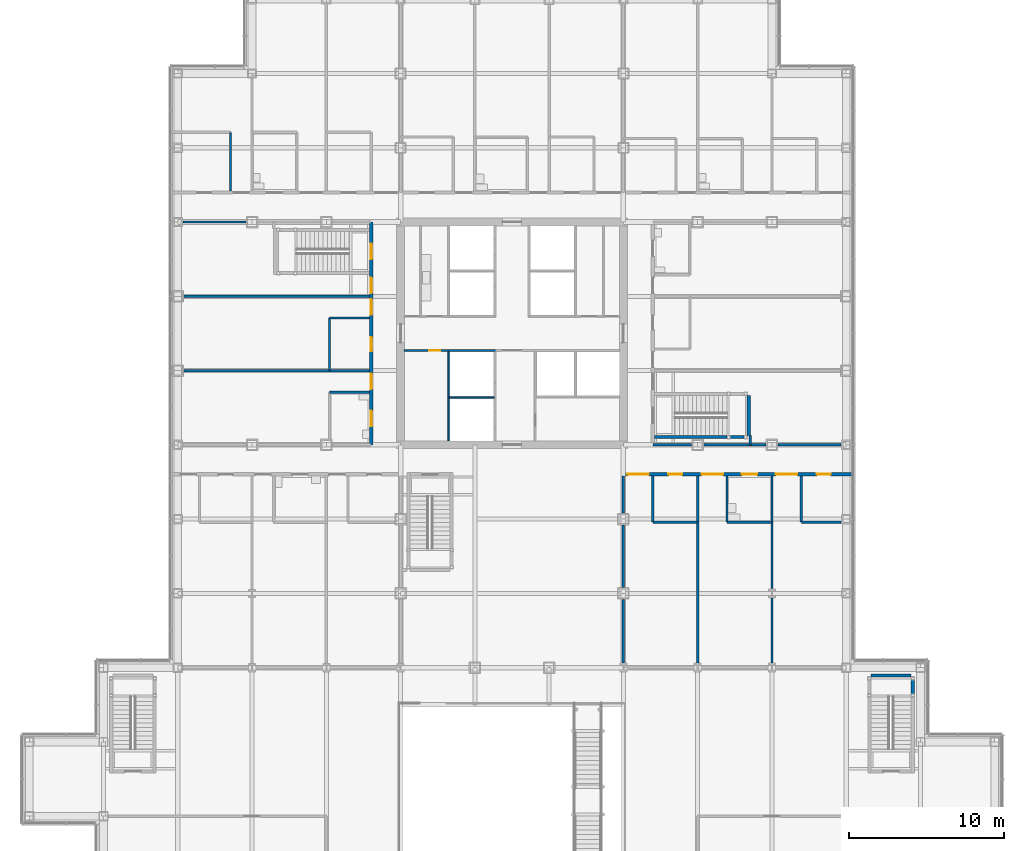
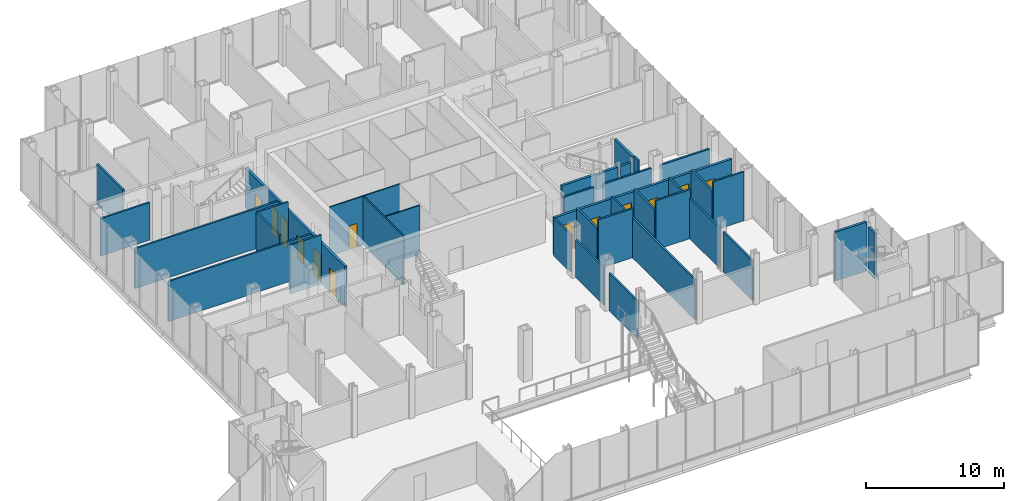
# One storey, part 20 of 28: 33 walls, 13 doors, 13 openings.
"""IFC4 building model written with IfcOpenShell, lengths in metres."""

import ifcopenshell
import ifcopenshell.guid

model = None  # the IFC model being written
_history = None  # IfcOwnerHistory: only IFC2X3 demands one
_inside = {}  # id of a spatial element -> (the spatial element, [elements in it])
_under = {}  # id of a project, library or spatial element -> (it, [spatial elements below it])
_declared = {}  # id of a project -> (the project, [libraries it declares])
_typed = {}  # id of a type object -> (the type object, [elements of that type])
_made_of = {}  # id of a material, layer set ... -> (it, [elements and type objects made of it])


def new_model(schema):
    """Start an empty IFC model of exactly this schema.

    Asked for "IFC4X3", IfcOpenShell would pick the latest addendum, in which some entities
    have other attributes; the version numbers below select the first issue.
    IFC2X3 requires an IfcOwnerHistory on every rooted entity: one is made here for all.
    """
    global model, _history
    if schema == "IFC4X3":
        model = ifcopenshell.file(schema_version=(4, 3, 0, 0))
    else:
        model = ifcopenshell.file(schema=schema)
    _inside.clear()
    _under.clear()
    _declared.clear()
    _typed.clear()
    _made_of.clear()
    _history = None
    if model.schema == "IFC2X3":
        org = make("IfcOrganization", Name="unknown")
        user = make(
            "IfcPersonAndOrganization",
            ThePerson=make("IfcPerson", FamilyName="unknown"),
            TheOrganization=org,
        )
        app = make(
            "IfcApplication",
            ApplicationDeveloper=org,
            Version="unknown",
            ApplicationFullName="unknown",
            ApplicationIdentifier="unknown",
        )
        _history = make(
            "IfcOwnerHistory",
            OwningUser=user,
            OwningApplication=app,
            ChangeAction="ADDED",
            CreationDate=0,
        )
    return model


def make(cls, **values):
    """One entity of the class cls with the attributes given. An attribute that is None is left unset."""
    return model.create_entity(
        cls, **{name: value for name, value in values.items() if value is not None}
    )


def rooted(cls, **values):
    """An entity with a GlobalId (a new one), such as an element, a storey or a relation."""
    return make(cls, GlobalId=ifcopenshell.guid.new(), OwnerHistory=_history, **values)


def si_unit(unit_type, name, prefix=None):
    """IfcSIUnit, for example si_unit("LENGTHUNIT", "METRE", prefix="MILLI")."""
    return make("IfcSIUnit", UnitType=unit_type, Prefix=prefix, Name=name)


def assignment(units):
    """IfcUnitAssignment: the units of a project."""
    return None if units is None else make("IfcUnitAssignment", Units=units)


def point(xyz):
    """IfcCartesianPoint."""
    return None if xyz is None else make("IfcCartesianPoint", Coordinates=xyz)


def direction(xyz):
    """IfcDirection."""
    return None if xyz is None else make("IfcDirection", DirectionRatios=xyz)


def frame(location, z_axis=None, x_axis=None):
    """IfcAxis2Placement3D, a coordinate frame: its origin and axes. An axis left out is left unset."""
    return make(
        "IfcAxis2Placement3D",
        Location=point(location),
        Axis=direction(z_axis),
        RefDirection=direction(x_axis),
    )


def frame_2d(location, x_axis=None):
    """IfcAxis2Placement2D, a coordinate frame in the plane: its origin and x axis."""
    return make(
        "IfcAxis2Placement2D", Location=point(location), RefDirection=direction(x_axis)
    )


def origin():
    """The frame at (0, 0, 0) with its axes left unset."""
    return frame((0.0, 0.0, 0.0))


def place(relative_to, where):
    """IfcLocalPlacement: puts the frame where relative to a parent placement (None: the world)."""
    return make(
        "IfcLocalPlacement", PlacementRelTo=relative_to, RelativePlacement=where
    )


def context(
    kind, dimensions, precision=None, world=None, true_north=None, identifier=None
):
    """IfcGeometricRepresentationContext, for example the 3D "Model" context."""
    return make(
        "IfcGeometricRepresentationContext",
        ContextIdentifier=identifier,
        ContextType=kind,
        CoordinateSpaceDimension=dimensions,
        Precision=precision,
        WorldCoordinateSystem=world,
        TrueNorth=true_north,
    )


def subcontext(parent, identifier, kind, view, scale=None):
    """IfcGeometricRepresentationSubContext, for example "Body" below "Model"."""
    return make(
        "IfcGeometricRepresentationSubContext",
        ContextIdentifier=identifier,
        ContextType=kind,
        ParentContext=parent,
        TargetScale=scale,
        TargetView=view,
    )


def project(units=None, contexts=None):
    """IfcProject with its units and contexts."""
    return rooted(
        "IfcProject",
        Name="project",
        RepresentationContexts=contexts,
        UnitsInContext=assignment(units),
    )


def spatial(cls, under=None, at=None, **own):
    """A site, building, storey or space (cls), placed at a placement, below another one or the project."""
    s = rooted(cls, ObjectPlacement=at, **own)
    if under is not None:
        _under.setdefault(under.id(), (under, []))[1].append(s)
    return s


def profile(cls, at=None, kind="AREA", **sizes):
    """A parametric profile (cls). Its sizes go by their IFC names, for example OverallWidth=200.0."""
    return make(cls, ProfileType=kind, Position=at, **sizes)


def rectangle(**sizes):
    """IfcRectangleProfileDef."""
    return profile("IfcRectangleProfileDef", **sizes)


def extrude(swept, where, along, depth):
    """IfcExtrudedAreaSolid: the profile swept, set in the frame where, extruded along a direction by depth."""
    return make(
        "IfcExtrudedAreaSolid",
        SweptArea=swept,
        Position=where,
        ExtrudedDirection=direction(along),
        Depth=depth,
    )


def shape(context_of_items, identifier, shape_type, items):
    """IfcShapeRepresentation: the items that make up one representation, for example the "Body"."""
    return make(
        "IfcShapeRepresentation",
        ContextOfItems=context_of_items,
        RepresentationIdentifier=identifier,
        RepresentationType=shape_type,
        Items=items,
    )


def material(Name=None, Category=None):
    """IfcMaterial."""
    return make("IfcMaterial", Name=Name, Category=Category)


def layer(
    of_material, thickness, ventilated=None, Name=None, Category=None, Priority=None
):
    """IfcMaterialLayer: one layer of a wall or slab, of a material (None: an air gap)."""
    return make(
        "IfcMaterialLayer",
        Material=of_material,
        LayerThickness=thickness,
        IsVentilated=ventilated,
        Name=Name,
        Category=Category,
        Priority=Priority,
    )


def layer_set(layers, Name=None):
    """IfcMaterialLayerSet."""
    return make("IfcMaterialLayerSet", MaterialLayers=layers, LayerSetName=Name)


def made_of(thing, what):
    """Note that an element or type object is made of a material, layer set ...; save() writes the relation."""
    if what is not None:
        _made_of.setdefault(what.id(), (what, []))[1].append(thing)
    return thing


def type_object(cls, material=None, **own):
    """A type object (cls), such as IfcWallType, which elements share."""
    return made_of(rooted(cls, **own), material)


def element(
    cls,
    number,
    at=None,
    inside=None,
    cuts=None,
    type_object=None,
    material=None,
    context=None,
    identifier="Body",
    shape_type=None,
    held_by="IfcProductDefinitionShape",
    body=None,
    shapes=None,
    **own,
):
    """One element of the class cls, such as IfcWall. Its Tag is "e" and its number.

    at: its placement. inside: the storey or other place that contains it. cuts: it is an
    opening in that element (IfcRelVoidsElement). A single representation is given by context,
    identifier, shape_type and body (its items); several are given by shapes. held_by: the class
    of the entity that holds the representations. save() writes the other relations.
    """
    e = rooted(cls, Tag="e%d" % number, ObjectPlacement=at, **own)
    if body is not None:
        shapes = [shape(context, identifier, shape_type, body)]
    if shapes is not None:
        e.Representation = make(held_by, Representations=shapes)
    if inside is not None:
        _inside.setdefault(inside.id(), (inside, []))[1].append(e)
    if cuts is not None:
        rooted(
            "IfcRelVoidsElement", RelatingBuildingElement=cuts, RelatedOpeningElement=e
        )
    if type_object is not None:
        _typed.setdefault(type_object.id(), (type_object, []))[1].append(e)
    return made_of(e, material)


def fill(opening, filler):
    """IfcRelFillsElement: the door or window that sits in an opening."""
    return rooted(
        "IfcRelFillsElement",
        RelatingOpeningElement=opening,
        RelatedBuildingElement=filler,
    )


def aggregate(whole, parts):
    """IfcRelAggregates: a whole, such as a stair, and the parts it consists of."""
    return rooted("IfcRelAggregates", RelatingObject=whole, RelatedObjects=parts)


def save(model, path):
    """Write the relations noted so far, then the file.

    IfcRelAggregates (storeys below a building ...), IfcRelContainedInSpatialStructure (elements
    in a storey), IfcRelDefinesByType, IfcRelAssociatesMaterial and IfcRelDeclares: one each for
    every whole, place, type object, material and project.
    """
    for whole, parts in _under.values():
        aggregate(whole, parts)
    for where, things in _inside.values():
        rooted(
            "IfcRelContainedInSpatialStructure",
            RelatedElements=things,
            RelatingStructure=where,
        )
    for kind, things in _typed.values():
        rooted("IfcRelDefinesByType", RelatedObjects=things, RelatingType=kind)
    for what, things in _made_of.values():
        rooted("IfcRelAssociatesMaterial", RelatedObjects=things, RelatingMaterial=what)
    for by, libraries in _declared.values():
        rooted("IfcRelDeclares", RelatingContext=by, RelatedDefinitions=libraries)
    model.write(path)


model = new_model("IFC4")

# Units and contexts
model_context = context("Model", 3, precision=1e-05, world=origin(), true_north=direction((0.0, 1.0)))
body_context = subcontext(model_context, "Body", "Model", "MODEL_VIEW")
ifc_project = project(units=[si_unit("LENGTHUNIT", "METRE"), si_unit("AREAUNIT", "SQUARE_METRE"), si_unit("VOLUMEUNIT", "CUBIC_METRE"), si_unit("PLANEANGLEUNIT", "RADIAN"), si_unit("MASSUNIT", "GRAM", prefix="KILO")], contexts=[model_context])

# Site, building, storey
site_placement = place(None, origin())
site = spatial("IfcSite", under=ifc_project, at=site_placement, CompositionType="ELEMENT")
building_placement = place(site_placement, origin())
building = spatial("IfcBuilding", under=site, at=building_placement, Name="Kvirike Care Tower", CompositionType="ELEMENT")
storey_placement = place(building_placement, frame((0.0, 0.0, 4.5)))
storey = spatial("IfcBuildingStorey", under=building, at=storey_placement, Name="L01", CompositionType="ELEMENT", Elevation=4.5)

# Walls
ifc_material_1 = material(Name="Plasterboard partition", Category="gypsum")
ifc_layer_1 = layer(ifc_material_1, 0.14990234375)
ifc_layer_set_1 = layer_set([ifc_layer_1], Name="CLINIC PARTITION 150")
wall_type_1 = type_object("IfcWallType", Name="CLINIC PARTITION 150", PredefinedType="PARTITIONING", material=ifc_layer_set_1)
wall_1_placement = place(storey_placement, frame((9.800048828125, 37.0, 0.0), z_axis=(0.0, 0.0, 1.0), x_axis=(1.0, 0.0, 0.0)))
element("IfcWall", 1, at=wall_1_placement, inside=storey, type_object=wall_type_1, Name="Clinic Partition 150 L01", PredefinedType="PARTITIONING", context=body_context, shape_type="SweptSolid", body=[
    extrude(rectangle(XDim=2.599853515625, YDim=0.14990234375, at=frame_2d((1.2998046875, 0.0))), origin(), (0.0, 0.0, 1.0), 4.330078125),
])
wall_2_placement = place(storey_placement, frame((9.800048828125, 37.0, 0.0), z_axis=(0.0, 0.0, 1.0), x_axis=(0.0, -1.0, 0.0)))
element("IfcWall", 2, at=wall_2_placement, inside=storey, type_object=wall_type_1, Name="Clinic Partition 150 L01", PredefinedType="PARTITIONING", context=body_context, shape_type="SweptSolid", body=[
    extrude(rectangle(XDim=3.39990234375, YDim=0.14990234375, at=frame_2d((1.699951171875, 0.0))), origin(), (0.0, 0.0, 1.0), 4.330078125),
])
wall_3_placement = place(storey_placement, frame((9.800048828125, 32.199951171875, 0.0), z_axis=(0.0, 0.0, 1.0), x_axis=(1.0, 0.0, 0.0)))
element("IfcWall", 3, at=wall_3_placement, inside=storey, type_object=wall_type_1, Name="Clinic Partition 150 L01", PredefinedType="PARTITIONING", context=body_context, shape_type="SweptSolid", body=[
    extrude(rectangle(XDim=2.599853515625, YDim=0.14990234375, at=frame_2d((1.2998046875, 0.0))), origin(), (0.0, 0.0, 1.0), 4.330078125),
])
for number, where, z_axis, x_axis, name in (
    (4, (0.39501953125, 38.39990234375, 0.0), (0.0, 0.0, 1.0), (1.0, 0.0, 0.0), "Clinic Partition 150 L01"),
    (5, (0.39501953125, 33.60009765625, 0.0), (0.0, 0.0, 1.0), (1.0, 0.0, 0.0), "Clinic Partition 150 L01"),
):
    element("IfcWall", number, at=place(storey_placement, frame(where, z_axis=z_axis, x_axis=x_axis)), inside=storey, type_object=wall_type_1, Name=name, PredefinedType="PARTITIONING", context=body_context, shape_type="SweptSolid", body=[
        extrude(rectangle(XDim=12.0048828125, YDim=0.14990234375, at=frame_2d((6.00244140625, 0.0))), origin(), (0.0, 0.0, 1.0), 3.550048828125),
    ])
wall_4_placement = place(storey_placement, frame((3.39990234375, 49.0, 0.0), z_axis=(0.0, 0.0, 1.0), x_axis=(0.0, -1.0, 0.0)))
element("IfcWall", 6, at=wall_4_placement, inside=storey, type_object=wall_type_1, Name="Clinic Partition 150 L01", PredefinedType="PARTITIONING", context=body_context, shape_type="SweptSolid", body=[
    extrude(rectangle(XDim=3.800048828125, YDim=0.14990234375, at=frame_2d((1.89990234375, 0.0))), origin(), (0.0, 0.0, 1.0), 3.550048828125),
])
wall_5_placement = place(storey_placement, frame((30.699951171875, 23.800048828125, 0.0), z_axis=(0.0, 0.0, 1.0), x_axis=(0.0, 1.0, 0.0)))
element("IfcWall", 7, at=wall_5_placement, inside=storey, type_object=wall_type_1, Name="Clinic Partition 150 L01", PredefinedType="PARTITIONING", context=body_context, shape_type="SweptSolid", body=[
    extrude(rectangle(XDim=3.0, YDim=0.14990234375, at=frame_2d((1.5, 0.0))), origin(), (0.0, 0.0, 1.0), 3.550048828125),
])
wall_6_placement = place(storey_placement, frame((30.699951171875, 23.800048828125, 0.0), z_axis=(0.0, 0.0, 1.0), x_axis=(1.0, 0.0, 0.0)))
element("IfcWall", 8, at=wall_6_placement, inside=storey, type_object=wall_type_1, Name="Clinic Partition 150 L01", PredefinedType="PARTITIONING", context=body_context, shape_type="SweptSolid", body=[
    extrude(rectangle(XDim=2.900146484375, YDim=0.14990234375, at=frame_2d((1.4501953125, 0.0))), origin(), (0.0, 0.0, 1.0), 4.330078125),
])
wall_7_placement = place(storey_placement, frame((35.5, 23.800048828125, 0.0), z_axis=(0.0, 0.0, 1.0), x_axis=(0.0, 1.0, 0.0)))
element("IfcWall", 9, at=wall_7_placement, inside=storey, type_object=wall_type_1, Name="Clinic Partition 150 L01", PredefinedType="PARTITIONING", context=body_context, shape_type="SweptSolid", body=[
    extrude(rectangle(XDim=3.0, YDim=0.14990234375, at=frame_2d((1.5, 0.0))), origin(), (0.0, 0.0, 1.0), 3.550048828125),
])
wall_8_placement = place(storey_placement, frame((35.5, 23.800048828125, 0.0), z_axis=(0.0, 0.0, 1.0), x_axis=(1.0, 0.0, 0.0)))
element("IfcWall", 10, at=wall_8_placement, inside=storey, type_object=wall_type_1, Name="Clinic Partition 150 L01", PredefinedType="PARTITIONING", context=body_context, shape_type="SweptSolid", body=[
    extrude(rectangle(XDim=2.89990234375, YDim=0.14990234375, at=frame_2d((1.449951171875, 0.0))), origin(), (0.0, 0.0, 1.0), 4.330078125),
])
wall_9_placement = place(storey_placement, frame((40.300048828125, 23.800048828125, 0.0), z_axis=(0.0, 0.0, 1.0), x_axis=(0.0, 1.0, 0.0)))
element("IfcWall", 11, at=wall_9_placement, inside=storey, type_object=wall_type_1, Name="Clinic Partition 150 L01", PredefinedType="PARTITIONING", context=body_context, shape_type="SweptSolid", body=[
    extrude(rectangle(XDim=3.0, YDim=0.14990234375, at=frame_2d((1.5, 0.0))), origin(), (0.0, 0.0, 1.0), 3.550048828125),
])
wall_10_placement = place(storey_placement, frame((40.300048828125, 23.800048828125, 0.0), z_axis=(0.0, 0.0, 1.0), x_axis=(1.0, 0.0, 0.0)))
element("IfcWall", 12, at=wall_10_placement, inside=storey, type_object=wall_type_1, Name="Clinic Partition 150 L01", PredefinedType="PARTITIONING", context=body_context, shape_type="SweptSolid", body=[
    extrude(rectangle(XDim=2.579833984375, YDim=0.14990234375, at=frame_2d((1.2900390625, 0.0))), origin(), (0.0, 0.0, 1.0), 4.330078125),
])
wall_11_placement = place(storey_placement, frame((33.60009765625, 14.70458984375, 0.0), z_axis=(0.0, 0.0, 1.0), x_axis=(0.0, 1.0, 0.0)))
element("IfcWall", 13, at=wall_11_placement, inside=storey, type_object=wall_type_1, Name="Clinic Partition 150 L01", PredefinedType="PARTITIONING", context=body_context, shape_type="SweptSolid", body=[
    extrude(rectangle(XDim=12.095458984375, YDim=0.14990234375, at=frame_2d((6.0478515625, 0.0))), origin(), (0.0, 0.0, 1.0), 3.550048828125),
])
wall_12_placement = place(storey_placement, frame((38.39990234375, 14.70458984375, 0.0), z_axis=(0.0, 0.0, 1.0), x_axis=(0.0, 1.0, 0.0)))
element("IfcWall", 14, at=wall_12_placement, inside=storey, type_object=wall_type_1, Name="Clinic Partition 150 L01", PredefinedType="PARTITIONING", context=body_context, shape_type="SweptSolid", body=[
    extrude(rectangle(XDim=4.19091796875, YDim=0.14990234375, at=frame_2d((2.095458984375, 0.0))), origin(), (0.0, 0.0, 1.0), 3.550048828125),
])
wall_13_placement = place(storey_placement, frame((38.39990234375, 19.50439453125, 0.0), z_axis=(0.0, 0.0, 1.0), x_axis=(0.0, 1.0, 0.0)))
element("IfcWall", 15, at=wall_13_placement, inside=storey, type_object=wall_type_1, Name="Clinic Partition 150 L01", PredefinedType="PARTITIONING", context=body_context, shape_type="SweptSolid", body=[
    extrude(rectangle(XDim=7.295654296875, YDim=0.14990234375, at=frame_2d((3.64794921875, 0.0))), origin(), (0.0, 0.0, 1.0), 3.550048828125),
])
wall_14_placement = place(storey_placement, frame((37.0, 28.800048828125, 0.0), z_axis=(0.0, 0.0, 1.0), x_axis=(0.0, 1.0, 0.0)))
element("IfcWall", 16, at=wall_14_placement, inside=storey, type_object=wall_type_1, Name="Clinic Partition 150 L01", PredefinedType="PARTITIONING", context=body_context, shape_type="SweptSolid", body=[
    extrude(rectangle(XDim=0.599853515625, YDim=0.14990234375, at=frame_2d((0.2998046875, 0.0))), origin(), (0.0, 0.0, 1.0), 4.330078125),
])
wall_15_placement = place(storey_placement, frame((4.405029296875, 43.199951171875, 0.0), z_axis=(0.0, 0.0, 1.0), x_axis=(-1.0, 0.0, 0.0)))
element("IfcWall", 17, at=wall_15_placement, inside=storey, type_object=wall_type_1, Name="Clinic Partition 150 L01", PredefinedType="PARTITIONING", context=body_context, shape_type="SweptSolid", body=[
    extrude(rectangle(XDim=4.0849609375, YDim=0.14990234375, at=frame_2d((2.04248046875, 0.0))), origin(), (0.0, 0.0, 1.0), 3.320068359375),
])
wall_16_placement = place(storey_placement, frame((28.800048828125, 14.70458984375, 0.0), z_axis=(0.0, 0.0, 1.0), x_axis=(0.0, 1.0, 0.0)))
element("IfcWall", 18, at=wall_16_placement, inside=storey, type_object=wall_type_1, Name="Clinic Partition 150 L01", PredefinedType="PARTITIONING", context=body_context, shape_type="SweptSolid", body=[
    extrude(rectangle(XDim=4.100341796875, YDim=0.14990234375, at=frame_2d((2.05029296875, 0.0))), origin(), (0.0, 0.0, 1.0), 3.320068359375),
])
wall_17_placement = place(storey_placement, frame((28.800048828125, 19.594970703125, 0.0), z_axis=(0.0, 0.0, 1.0), x_axis=(0.0, 1.0, 0.0)))
element("IfcWall", 19, at=wall_17_placement, inside=storey, type_object=wall_type_1, Name="Clinic Partition 150 L01", PredefinedType="PARTITIONING", context=body_context, shape_type="SweptSolid", body=[
    extrude(rectangle(XDim=4.010009765625, YDim=0.14990234375, at=frame_2d((2.0048828125, 0.0))), origin(), (0.0, 0.0, 1.0), 3.320068359375),
])
wall_18_placement = place(storey_placement, frame((28.800048828125, 24.39501953125, 0.0), z_axis=(0.0, 0.0, 1.0), x_axis=(0.0, 1.0, 0.0)))
element("IfcWall", 20, at=wall_18_placement, inside=storey, type_object=wall_type_1, Name="Clinic Partition 150 L01", PredefinedType="PARTITIONING", context=body_context, shape_type="SweptSolid", body=[
    extrude(rectangle(XDim=2.405029296875, YDim=0.14990234375, at=frame_2d((1.20263671875, 0.0))), origin(), (0.0, 0.0, 1.0), 3.320068359375),
])
wall_19_placement = place(storey_placement, frame((42.8798828125, 28.800048828125, 0.0), z_axis=(0.0, 0.0, 1.0), x_axis=(-1.0, 0.0, 0.0)))
element("IfcWall", 21, at=wall_19_placement, inside=storey, type_object=wall_type_1, Name="Clinic Partition 150 L01", PredefinedType="PARTITIONING", context=body_context, shape_type="SweptSolid", body=[
    extrude(rectangle(XDim=4.0849609375, YDim=0.14990234375, at=frame_2d((2.04248046875, 0.0))), origin(), (0.0, 0.0, 1.0), 3.320068359375),
])
wall_20_placement = place(storey_placement, frame((38.0048828125, 28.800048828125, 0.0), z_axis=(0.0, 0.0, 1.0), x_axis=(-1.0, 0.0, 0.0)))
element("IfcWall", 22, at=wall_20_placement, inside=storey, type_object=wall_type_1, Name="Clinic Partition 150 L01", PredefinedType="PARTITIONING", context=body_context, shape_type="SweptSolid", body=[
    extrude(rectangle(XDim=4.009765625, YDim=0.14990234375, at=frame_2d((2.0048828125, 0.0))), origin(), (0.0, 0.0, 1.0), 3.320068359375),
])
wall_21_placement = place(storey_placement, frame((33.205078125, 28.800048828125, 0.0), z_axis=(0.0, 0.0, 1.0), x_axis=(-1.0, 0.0, 0.0)))
element("IfcWall", 23, at=wall_21_placement, inside=storey, type_object=wall_type_1, Name="Clinic Partition 150 L01", PredefinedType="PARTITIONING", context=body_context, shape_type="SweptSolid", body=[
    extrude(rectangle(XDim=2.505126953125, YDim=0.14990234375, at=frame_2d((1.25244140625, 0.0))), origin(), (0.0, 0.0, 1.0), 3.320068359375),
])

# Wall, openings, doors
ifc_material_2 = material(Name="Plasterboard corridor wall", Category="gypsum")
ifc_layer_2 = layer(ifc_material_2, 0.199951171875)
ifc_layer_set_2 = layer_set([ifc_layer_2], Name="CORRIDOR WALL 200")
wall_type_2 = type_object("IfcWallType", Name="CORRIDOR WALL 200", PredefinedType="PARTITIONING", material=ifc_layer_set_2)
wall_22_placement = place(storey_placement, frame((12.5, 43.199951171875, 0.0), z_axis=(0.0, 0.0, 1.0), x_axis=(0.0, -1.0, 0.0)))
wall_22 = element("IfcWall", 24, at=wall_22_placement, inside=storey, type_object=wall_type_2, Name="Corridor Wall 200 L01", PredefinedType="PARTITIONING", context=body_context, shape_type="SweptSolid", body=[
    extrude(rectangle(XDim=14.39990234375, YDim=0.199951171875, at=frame_2d((7.199951171875, 0.0))), origin(), (0.0, 0.0, 1.0), 3.550048828125),
])
opening_1_placement = place(wall_22_placement, frame((1.39990234375, 0.0, 0.0)))
opening_1 = element("IfcOpeningElement", 25, at=opening_1_placement, cuts=wall_22, Name="Opening 01-007", PredefinedType="OPENING", context=body_context, shape_type="SweptSolid", body=[
    extrude(rectangle(XDim=1.0, YDim=2.10009765625, at=frame_2d((0.5, 1.050048828125))), frame((0.0, 0.110595703125, 0.0), z_axis=(0.0, -1.0, 0.0), x_axis=(1.0, 0.0, 0.0)), (0.0, 0.0, 1.0), 0.220947265625),
])
opening_2_placement = place(wall_22_placement, frame((3.60009765625, 0.0, 0.0)))
opening_2 = element("IfcOpeningElement", 26, at=opening_2_placement, cuts=wall_22, Name="Opening 01-008", PredefinedType="OPENING", context=body_context, shape_type="SweptSolid", body=[
    extrude(rectangle(XDim=1.0, YDim=2.39990234375, at=frame_2d((0.5, 1.199951171875))), frame((0.0, 0.110595703125, 0.0), z_axis=(0.0, -1.0, 0.0), x_axis=(1.0, 0.0, 0.0)), (0.0, 0.0, 1.0), 0.220947265625),
])
opening_3_placement = place(wall_22_placement, frame((5.0, 0.0, 0.0)))
opening_3 = element("IfcOpeningElement", 27, at=opening_3_placement, cuts=wall_22, Name="Opening 01-009", PredefinedType="OPENING", context=body_context, shape_type="SweptSolid", body=[
    extrude(rectangle(XDim=1.0, YDim=2.39990234375, at=frame_2d((0.5, 1.199951171875))), frame((0.0, 0.110595703125, 0.0), z_axis=(0.0, -1.0, 0.0), x_axis=(1.0, 0.0, 0.0)), (0.0, 0.0, 1.0), 0.220947265625),
])
opening_4_placement = place(wall_22_placement, frame((9.800048828125, 0.0, 0.0)))
opening_4 = element("IfcOpeningElement", 28, at=opening_4_placement, cuts=wall_22, Name="Opening 01-010", PredefinedType="OPENING", context=body_context, shape_type="SweptSolid", body=[
    extrude(rectangle(XDim=1.0, YDim=2.39990234375, at=frame_2d((0.5, 1.199951171875))), frame((0.0, 0.110595703125, 0.0), z_axis=(0.0, -1.0, 0.0), x_axis=(1.0, 0.0, 0.0)), (0.0, 0.0, 1.0), 0.220947265625),
])
opening_5_placement = place(wall_22_placement, frame((7.449951171875, 0.0, 0.0)))
opening_5 = element("IfcOpeningElement", 29, at=opening_5_placement, cuts=wall_22, Name="Opening 01-011", PredefinedType="OPENING", context=body_context, shape_type="SweptSolid", body=[
    extrude(rectangle(XDim=0.89990234375, YDim=2.10009765625, at=frame_2d((0.449951171875, 1.050048828125))), frame((0.0, 0.110595703125, 0.0), z_axis=(0.0, -1.0, 0.0), x_axis=(1.0, 0.0, 0.0)), (0.0, 0.0, 1.0), 0.220947265625),
])
opening_6_placement = place(wall_22_placement, frame((12.199951171875, 0.0, 0.0)))
opening_6 = element("IfcOpeningElement", 30, at=opening_6_placement, cuts=wall_22, Name="Opening 01-012", PredefinedType="OPENING", context=body_context, shape_type="SweptSolid", body=[
    extrude(rectangle(XDim=1.0, YDim=2.10009765625, at=frame_2d((0.5, 1.050048828125))), frame((0.0, 0.110595703125, 0.0), z_axis=(0.0, -1.0, 0.0), x_axis=(1.0, 0.0, 0.0)), (0.0, 0.0, 1.0), 0.220947265625),
])
ifc_material_3 = material(Name="Timber door set", Category="wood")
door_type_1 = type_object("IfcDoorType", Name="CONSULTING ROOM DOOR 1000", OperationType="SINGLE_SWING_LEFT", PredefinedType="DOOR", material=ifc_material_3)
door_1_placement = place(opening_2_placement, frame((1.0, 0.0, 0.0), z_axis=(0.0, 0.0, 1.0), x_axis=(-1.0, 0.0, 0.0)))
door_1 = element("IfcDoor", 31, at=door_1_placement, inside=storey, type_object=door_type_1, Name="Consulting room door", OperationType="SINGLE_SWING_LEFT", OverallHeight=2.39990234375, OverallWidth=1.0, PredefinedType="DOOR", context=body_context, shape_type="SweptSolid", body=[
    extrude(rectangle(XDim=1.0, YDim=2.39990234375, at=frame_2d((0.5, 1.199951171875))), frame((0.0, 0.02685546875, 0.0), z_axis=(0.0, -1.0, 0.0), x_axis=(1.0, 0.0, 0.0)), (0.0, 0.0, 1.0), 0.053955078125),
])
fill(opening_2, door_1)
door_2_placement = place(opening_3_placement, frame((1.0, 0.0, 0.0), z_axis=(0.0, 0.0, 1.0), x_axis=(-1.0, 0.0, 0.0)))
door_2 = element("IfcDoor", 32, at=door_2_placement, inside=storey, type_object=door_type_1, Name="Consulting room door", OperationType="SINGLE_SWING_LEFT", OverallHeight=2.39990234375, OverallWidth=1.0, PredefinedType="DOOR", context=body_context, shape_type="SweptSolid", body=[
    extrude(rectangle(XDim=1.0, YDim=2.39990234375, at=frame_2d((0.5, 1.199951171875))), frame((0.0, 0.02685546875, 0.0), z_axis=(0.0, -1.0, 0.0), x_axis=(1.0, 0.0, 0.0)), (0.0, 0.0, 1.0), 0.053955078125),
])
fill(opening_3, door_2)
door_3_placement = place(opening_4_placement, frame((1.0, 0.0, 0.0), z_axis=(0.0, 0.0, 1.0), x_axis=(-1.0, 0.0, 0.0)))
door_3 = element("IfcDoor", 33, at=door_3_placement, inside=storey, type_object=door_type_1, Name="Consulting room door", OperationType="SINGLE_SWING_LEFT", OverallHeight=2.39990234375, OverallWidth=1.0, PredefinedType="DOOR", context=body_context, shape_type="SweptSolid", body=[
    extrude(rectangle(XDim=1.0, YDim=2.39990234375, at=frame_2d((0.5, 1.199951171875))), frame((0.0, 0.02685546875, 0.0), z_axis=(0.0, -1.0, 0.0), x_axis=(1.0, 0.0, 0.0)), (0.0, 0.0, 1.0), 0.053955078125),
])
fill(opening_4, door_3)
ifc_material_4 = material(Name="Timber door set", Category="wood")
door_type_2 = type_object("IfcDoorType", Name="STAIR DOOR 1000", OperationType="SINGLE_SWING_LEFT", PredefinedType="DOOR", material=ifc_material_4)
door_4_placement = place(opening_1_placement, frame((1.0, 0.0, 0.0), z_axis=(0.0, 0.0, 1.0), x_axis=(-1.0, 0.0, 0.0)))
door_4 = element("IfcDoor", 34, at=door_4_placement, inside=storey, type_object=door_type_2, Name="Stair 1 door", OperationType="SINGLE_SWING_LEFT", OverallHeight=2.10009765625, OverallWidth=1.0, PredefinedType="DOOR", context=body_context, shape_type="SweptSolid", body=[
    extrude(rectangle(XDim=1.0, YDim=2.10009765625, at=frame_2d((0.5, 1.050048828125))), frame((0.0, 0.031982421875, 0.0), z_axis=(0.0, -1.0, 0.0), x_axis=(1.0, 0.0, 0.0)), (0.0, 0.0, 1.0), 0.06396484375),
])
fill(opening_1, door_4)
ifc_material_5 = material(Name="Timber door set", Category="wood")
door_type_3 = type_object("IfcDoorType", Name="STORE DOOR 900", OperationType="SINGLE_SWING_LEFT", PredefinedType="DOOR", material=ifc_material_5)
door_5_placement = place(opening_5_placement, frame((0.89990234375, 0.0, 0.0), z_axis=(0.0, 0.0, 1.0), x_axis=(-1.0, 0.0, 0.0)))
door_5 = element("IfcDoor", 35, at=door_5_placement, inside=storey, type_object=door_type_3, Name="Store door", OperationType="SINGLE_SWING_RIGHT", OverallHeight=2.10009765625, OverallWidth=0.89990234375, PredefinedType="DOOR", context=body_context, shape_type="SweptSolid", body=[
    extrude(rectangle(XDim=0.89990234375, YDim=2.10009765625, at=frame_2d((0.449951171875, 1.050048828125))), frame((0.0, 0.02685546875, 0.0), z_axis=(0.0, -1.0, 0.0), x_axis=(1.0, 0.0, 0.0)), (0.0, 0.0, 1.0), 0.053955078125),
])
fill(opening_5, door_5)
ifc_material_6 = material(Name="Timber door set", Category="wood")
door_type_4 = type_object("IfcDoorType", Name="WC DOOR 1000", OperationType="SINGLE_SWING_LEFT", PredefinedType="DOOR", material=ifc_material_6)
door_6_placement = place(opening_6_placement, frame((1.0, 0.0, 0.0), z_axis=(0.0, 0.0, 1.0), x_axis=(-1.0, 0.0, 0.0)))
door_6 = element("IfcDoor", 36, at=door_6_placement, inside=storey, type_object=door_type_4, Name="Staff WC door", OperationType="SINGLE_SWING_RIGHT", OverallHeight=2.10009765625, OverallWidth=1.0, PredefinedType="DOOR", context=body_context, shape_type="SweptSolid", body=[
    extrude(rectangle(XDim=1.0, YDim=2.10009765625, at=frame_2d((0.5, 1.050048828125))), frame((0.0, 0.02685546875, 0.0), z_axis=(0.0, -1.0, 0.0), x_axis=(1.0, 0.0, 0.0)), (0.0, 0.0, 1.0), 0.053955078125),
])
fill(opening_6, door_6)

wall_23_placement = place(storey_placement, frame((28.800048828125, 26.89990234375, 0.0), z_axis=(0.0, 0.0, 1.0), x_axis=(1.0, 0.0, 0.0)))
wall_23 = element("IfcWall", 37, at=wall_23_placement, inside=storey, type_object=wall_type_2, Name="Corridor Wall 200 L01", PredefinedType="PARTITIONING", context=body_context, shape_type="SweptSolid", body=[
    extrude(rectangle(XDim=14.85498046875, YDim=0.199951171875, at=frame_2d((7.427490234375, 0.0))), origin(), (0.0, 0.0, 1.0), 3.320068359375),
])
opening_7_placement = place(wall_23_placement, frame((0.25, 0.0, 0.0)))
opening_7 = element("IfcOpeningElement", 38, at=opening_7_placement, cuts=wall_23, Name="Opening 01-026", PredefinedType="OPENING", context=body_context, shape_type="SweptSolid", body=[
    extrude(rectangle(XDim=1.39990234375, YDim=2.39990234375, at=frame_2d((0.699951171875, 1.199951171875))), frame((0.0, 0.110595703125, 0.0), z_axis=(0.0, -1.0, 0.0), x_axis=(1.0, 0.0, 0.0)), (0.0, 0.0, 1.0), 0.220947265625),
])
opening_8_placement = place(wall_23_placement, frame((5.050048828125, 0.0, 0.0)))
opening_8 = element("IfcOpeningElement", 39, at=opening_8_placement, cuts=wall_23, Name="Opening 01-027", PredefinedType="OPENING", context=body_context, shape_type="SweptSolid", body=[
    extrude(rectangle(XDim=1.39990234375, YDim=2.39990234375, at=frame_2d((0.699951171875, 1.199951171875))), frame((0.0, 0.110595703125, 0.0), z_axis=(0.0, -1.0, 0.0), x_axis=(1.0, 0.0, 0.0)), (0.0, 0.0, 1.0), 0.220947265625),
])
opening_9_placement = place(wall_23_placement, frame((9.85009765625, 0.0, 0.0)))
opening_9 = element("IfcOpeningElement", 40, at=opening_9_placement, cuts=wall_23, Name="Opening 01-028", PredefinedType="OPENING", context=body_context, shape_type="SweptSolid", body=[
    extrude(rectangle(XDim=1.39990234375, YDim=2.39990234375, at=frame_2d((0.699951171875, 1.199951171875))), frame((0.0, 0.110595703125, 0.0), z_axis=(0.0, -1.0, 0.0), x_axis=(1.0, 0.0, 0.0)), (0.0, 0.0, 1.0), 0.220947265625),
])
opening_10_placement = place(wall_23_placement, frame((2.89990234375, 0.0, 0.0)))
opening_10 = element("IfcOpeningElement", 41, at=opening_10_placement, cuts=wall_23, Name="Opening 01-029", PredefinedType="OPENING", context=body_context, shape_type="SweptSolid", body=[
    extrude(rectangle(XDim=0.89990234375, YDim=2.10009765625, at=frame_2d((0.449951171875, 1.050048828125))), frame((0.0, 0.110595703125, 0.0), z_axis=(0.0, -1.0, 0.0), x_axis=(1.0, 0.0, 0.0)), (0.0, 0.0, 1.0), 0.220947265625),
])
opening_11_placement = place(wall_23_placement, frame((7.64990234375, 0.0, 0.0)))
opening_11 = element("IfcOpeningElement", 42, at=opening_11_placement, cuts=wall_23, Name="Opening 01-030", PredefinedType="OPENING", context=body_context, shape_type="SweptSolid", body=[
    extrude(rectangle(XDim=1.0, YDim=2.10009765625, at=frame_2d((0.5, 1.050048828125))), frame((0.0, 0.110595703125, 0.0), z_axis=(0.0, -1.0, 0.0), x_axis=(1.0, 0.0, 0.0)), (0.0, 0.0, 1.0), 0.220947265625),
])
opening_12_placement = place(wall_23_placement, frame((12.5, 0.0, 0.0)))
opening_12 = element("IfcOpeningElement", 43, at=opening_12_placement, cuts=wall_23, Name="Opening 01-031", PredefinedType="OPENING", context=body_context, shape_type="SweptSolid", body=[
    extrude(rectangle(XDim=0.89990234375, YDim=2.10009765625, at=frame_2d((0.449951171875, 1.050048828125))), frame((0.0, 0.110595703125, 0.0), z_axis=(0.0, -1.0, 0.0), x_axis=(1.0, 0.0, 0.0)), (0.0, 0.0, 1.0), 0.220947265625),
])
door_7_placement = place(opening_10_placement, frame((0.89990234375, 0.0, 0.0), z_axis=(0.0, 0.0, 1.0), x_axis=(-1.0, 0.0, 0.0)))
door_7 = element("IfcDoor", 44, at=door_7_placement, inside=storey, type_object=door_type_3, Name="Clean utility door", OperationType="SINGLE_SWING_RIGHT", OverallHeight=2.10009765625, OverallWidth=0.89990234375, PredefinedType="DOOR", context=body_context, shape_type="SweptSolid", body=[
    extrude(rectangle(XDim=0.89990234375, YDim=2.10009765625, at=frame_2d((0.449951171875, 1.050048828125))), frame((0.0, 0.02685546875, 0.0), z_axis=(0.0, -1.0, 0.0), x_axis=(1.0, 0.0, 0.0)), (0.0, 0.0, 1.0), 0.053955078125),
])
fill(opening_10, door_7)
door_8_placement = place(opening_12_placement, frame((0.89990234375, 0.0, 0.0), z_axis=(0.0, 0.0, 1.0), x_axis=(-1.0, 0.0, 0.0)))
door_8 = element("IfcDoor", 45, at=door_8_placement, inside=storey, type_object=door_type_3, Name="Dirty utility door", OperationType="SINGLE_SWING_LEFT", OverallHeight=2.10009765625, OverallWidth=0.89990234375, PredefinedType="DOOR", context=body_context, shape_type="SweptSolid", body=[
    extrude(rectangle(XDim=0.89990234375, YDim=2.10009765625, at=frame_2d((0.449951171875, 1.050048828125))), frame((0.0, 0.02685546875, 0.0), z_axis=(0.0, -1.0, 0.0), x_axis=(1.0, 0.0, 0.0)), (0.0, 0.0, 1.0), 0.053955078125),
])
fill(opening_12, door_8)
ifc_material_7 = material(Name="Timber door set", Category="wood")
door_type_5 = type_object("IfcDoorType", Name="TREATMENT ROOM DOOR 1400", OperationType="DOUBLE_DOOR_SINGLE_SWING", PredefinedType="DOOR", material=ifc_material_7)
door_9_placement = place(opening_7_placement, frame((1.39990234375, 0.0, 0.0), z_axis=(0.0, 0.0, 1.0), x_axis=(-1.0, 0.0, 0.0)))
door_9 = element("IfcDoor", 46, at=door_9_placement, inside=storey, type_object=door_type_5, Name="Treatment room door", OperationType="DOUBLE_DOOR_SINGLE_SWING", OverallHeight=2.39990234375, OverallWidth=1.39990234375, PredefinedType="DOOR", context=body_context, shape_type="SweptSolid", body=[
    extrude(rectangle(XDim=1.39990234375, YDim=2.39990234375, at=frame_2d((0.699951171875, 1.199951171875))), frame((0.0, 0.02685546875, 0.0), z_axis=(0.0, -1.0, 0.0), x_axis=(1.0, 0.0, 0.0)), (0.0, 0.0, 1.0), 0.053955078125),
])
fill(opening_7, door_9)
door_10_placement = place(opening_8_placement, frame((1.39990234375, 0.0, 0.0), z_axis=(0.0, 0.0, 1.0), x_axis=(-1.0, 0.0, 0.0)))
door_10 = element("IfcDoor", 47, at=door_10_placement, inside=storey, type_object=door_type_5, Name="Treatment room door", OperationType="DOUBLE_DOOR_SINGLE_SWING", OverallHeight=2.39990234375, OverallWidth=1.39990234375, PredefinedType="DOOR", context=body_context, shape_type="SweptSolid", body=[
    extrude(rectangle(XDim=1.39990234375, YDim=2.39990234375, at=frame_2d((0.699951171875, 1.199951171875))), frame((0.0, 0.02685546875, 0.0), z_axis=(0.0, -1.0, 0.0), x_axis=(1.0, 0.0, 0.0)), (0.0, 0.0, 1.0), 0.053955078125),
])
fill(opening_8, door_10)
door_11_placement = place(opening_9_placement, frame((1.39990234375, 0.0, 0.0), z_axis=(0.0, 0.0, 1.0), x_axis=(-1.0, 0.0, 0.0)))
door_11 = element("IfcDoor", 48, at=door_11_placement, inside=storey, type_object=door_type_5, Name="Treatment room door", OperationType="DOUBLE_DOOR_SINGLE_SWING", OverallHeight=2.39990234375, OverallWidth=1.39990234375, PredefinedType="DOOR", context=body_context, shape_type="SweptSolid", body=[
    extrude(rectangle(XDim=1.39990234375, YDim=2.39990234375, at=frame_2d((0.699951171875, 1.199951171875))), frame((0.0, 0.02685546875, 0.0), z_axis=(0.0, -1.0, 0.0), x_axis=(1.0, 0.0, 0.0)), (0.0, 0.0, 1.0), 0.053955078125),
])
fill(opening_9, door_11)
door_12_placement = place(opening_11_placement, frame((1.0, 0.0, 0.0), z_axis=(0.0, 0.0, 1.0), x_axis=(-1.0, 0.0, 0.0)))
door_12 = element("IfcDoor", 49, at=door_12_placement, inside=storey, type_object=door_type_4, Name="Accessible WC door", OperationType="SINGLE_SWING_LEFT", OverallHeight=2.10009765625, OverallWidth=1.0, PredefinedType="DOOR", context=body_context, shape_type="SweptSolid", body=[
    extrude(rectangle(XDim=1.0, YDim=2.10009765625, at=frame_2d((0.5, 1.050048828125))), frame((0.0, 0.02685546875, 0.0), z_axis=(0.0, -1.0, 0.0), x_axis=(1.0, 0.0, 0.0)), (0.0, 0.0, 1.0), 0.053955078125),
])
fill(opening_11, door_12)

# Wall, opening, door
ifc_material_8 = material(Name="Gypsum shaft wall system", Category="gypsum")
ifc_layer_3 = layer(ifc_material_8, 0.10009765625)
ifc_layer_set_3 = layer_set([ifc_layer_3], Name="SHAFT WALL 100")
wall_type_3 = type_object("IfcWallType", Name="SHAFT WALL 100", PredefinedType="SOLIDWALL", material=ifc_layer_set_3)
wall_24_placement = place(storey_placement, frame((14.64990234375, 34.89990234375, 0.0), z_axis=(0.0, 0.0, 1.0), x_axis=(1.0, 0.0, 0.0)))
wall_24 = element("IfcWall", 50, at=wall_24_placement, inside=storey, type_object=wall_type_3, Name="Shaft Wall 100 L01", PredefinedType="SOLIDWALL", context=body_context, shape_type="SweptSolid", body=[
    extrude(rectangle(XDim=5.900146484375, YDim=0.10009765625, at=frame_2d((2.9501953125, 0.0))), origin(), (0.0, 0.0, 1.0), 4.330078125),
])
opening_13_placement = place(wall_24_placement, frame((1.60009765625, 0.0, 0.0)))
opening_13 = element("IfcOpeningElement", 51, at=opening_13_placement, cuts=wall_24, Name="Opening 01-053", PredefinedType="OPENING", context=body_context, shape_type="SweptSolid", body=[
    extrude(rectangle(XDim=0.699951171875, YDim=2.10009765625, at=frame_2d((0.35009765625, 1.050048828125))), frame((0.0, 0.060546875, 0.0), z_axis=(0.0, -1.0, 0.0), x_axis=(1.0, 0.0, 0.0)), (0.0, 0.0, 1.0), 0.12109375),
])
ifc_material_9 = material(Name="Timber door set", Category="wood")
door_type_6 = type_object("IfcDoorType", Name="RISER DOOR 700", OperationType="SINGLE_SWING_LEFT", PredefinedType="DOOR", material=ifc_material_9)
door_13_placement = place(opening_13_placement, frame((0.699951171875, 0.0, 0.0), z_axis=(0.0, 0.0, 1.0), x_axis=(-1.0, 0.0, 0.0)))
door_13 = element("IfcDoor", 52, at=door_13_placement, inside=storey, type_object=door_type_6, Name="Riser door", OperationType="SINGLE_SWING_RIGHT", OverallHeight=2.10009765625, OverallWidth=0.699951171875, PredefinedType="DOOR", context=body_context, shape_type="SweptSolid", body=[
    extrude(rectangle(XDim=0.699951171875, YDim=2.10009765625, at=frame_2d((0.35009765625, 1.050048828125))), frame((0.0, 0.02685546875, 0.0), z_axis=(0.0, -1.0, 0.0), x_axis=(1.0, 0.0, 0.0)), (0.0, 0.0, 1.0), 0.053955078125),
])
fill(opening_13, door_13)

# Walls
wall_25_placement = place(storey_placement, frame((17.5, 29.050048828125, 0.0), z_axis=(0.0, 0.0, 1.0), x_axis=(0.0, 1.0, 0.0)))
element("IfcWall", 53, at=wall_25_placement, inside=storey, type_object=wall_type_3, Name="Shaft Wall 100 L01", PredefinedType="SOLIDWALL", context=body_context, shape_type="SweptSolid", body=[
    extrude(rectangle(XDim=5.800048828125, YDim=0.10009765625, at=frame_2d((2.89990234375, 0.0))), origin(), (0.0, 0.0, 1.0), 4.330078125),
])
wall_26_placement = place(storey_placement, frame((17.550048828125, 31.85009765625, 0.0), z_axis=(0.0, 0.0, 1.0), x_axis=(1.0, 0.0, 0.0)))
element("IfcWall", 54, at=wall_26_placement, inside=storey, type_object=wall_type_3, Name="Shaft Wall 100 L01", PredefinedType="SOLIDWALL", context=body_context, shape_type="SweptSolid", body=[
    extrude(rectangle(XDim=2.89990234375, YDim=0.10009765625, at=frame_2d((1.449951171875, 0.0))), origin(), (0.0, 0.0, 1.0), 4.330078125),
])
ifc_material_10 = material(Name="Concrete C40/50", Category="concrete")
ifc_layer_4 = layer(ifc_material_10, 0.199951171875)
ifc_layer_set_4 = layer_set([ifc_layer_4], Name="STAIR WALL 200")
wall_type_4 = type_object("IfcWallType", Name="STAIR WALL 200", PredefinedType="SOLIDWALL", material=ifc_layer_set_4)
wall_27_placement = place(storey_placement, frame((36.60009765625, 29.300048828125, 0.0), z_axis=(0.0, 0.0, 1.0), x_axis=(-1.0, 0.0, 0.0)))
element("IfcWall", 55, at=wall_27_placement, inside=storey, type_object=wall_type_4, Name="Stair Wall 200 L01", PredefinedType="SOLIDWALL", context=body_context, shape_type="SweptSolid", body=[
    extrude(rectangle(XDim=0.900146484375, YDim=0.199951171875, at=frame_2d((0.4501953125, 0.0))), origin(), (0.0, 0.0, 1.0), 3.989990234375),
])
wall_28_placement = place(storey_placement, frame((35.5, 29.300048828125, 0.0), z_axis=(0.0, 0.0, 1.0), x_axis=(-1.0, 0.0, 0.0)))
element("IfcWall", 56, at=wall_28_placement, inside=storey, type_object=wall_type_4, Name="Stair Wall 200 L01", PredefinedType="SOLIDWALL", context=body_context, shape_type="SweptSolid", body=[
    extrude(rectangle(XDim=4.699951171875, YDim=0.199951171875, at=frame_2d((2.35009765625, 0.0))), origin(), (0.0, 0.0, 1.0), 3.989990234375),
])
wall_29_placement = place(storey_placement, frame((36.89990234375, 29.39990234375, 0.0), z_axis=(0.0, 0.0, 1.0), x_axis=(0.0, 1.0, 0.0)))
element("IfcWall", 57, at=wall_29_placement, inside=storey, type_object=wall_type_4, Name="Stair Wall 200 L01", PredefinedType="SOLIDWALL", context=body_context, shape_type="SweptSolid", body=[
    extrude(rectangle(XDim=2.60009765625, YDim=0.199951171875, at=frame_2d((1.300048828125, 0.0))), origin(), (0.0, 0.0, 1.0), 4.330078125),
])
wall_30_placement = place(storey_placement, frame((47.5, 13.60009765625, 0.0), z_axis=(0.0, 0.0, 1.0), x_axis=(0.0, -1.0, 0.0)))
element("IfcWall", 58, at=wall_30_placement, inside=storey, type_object=wall_type_4, Name="Stair Wall 200 L01", PredefinedType="SOLIDWALL", context=body_context, shape_type="SweptSolid", body=[
    extrude(rectangle(XDim=0.900146484375, YDim=0.199951171875, at=frame_2d((0.4501953125, 0.0))), origin(), (0.0, 0.0, 1.0), 3.989990234375),
])
wall_31_placement = place(storey_placement, frame((44.800048828125, 13.89990234375, 0.0), z_axis=(0.0, 0.0, 1.0), x_axis=(1.0, 0.0, 0.0)))
element("IfcWall", 59, at=wall_31_placement, inside=storey, type_object=wall_type_4, Name="Stair Wall 200 L01", PredefinedType="SOLIDWALL", context=body_context, shape_type="SweptSolid", body=[
    extrude(rectangle(XDim=2.599853515625, YDim=0.199951171875, at=frame_2d((1.2998046875, 0.0))), origin(), (0.0, 0.0, 1.0), 4.330078125),
])

save(model, "model.ifc")
